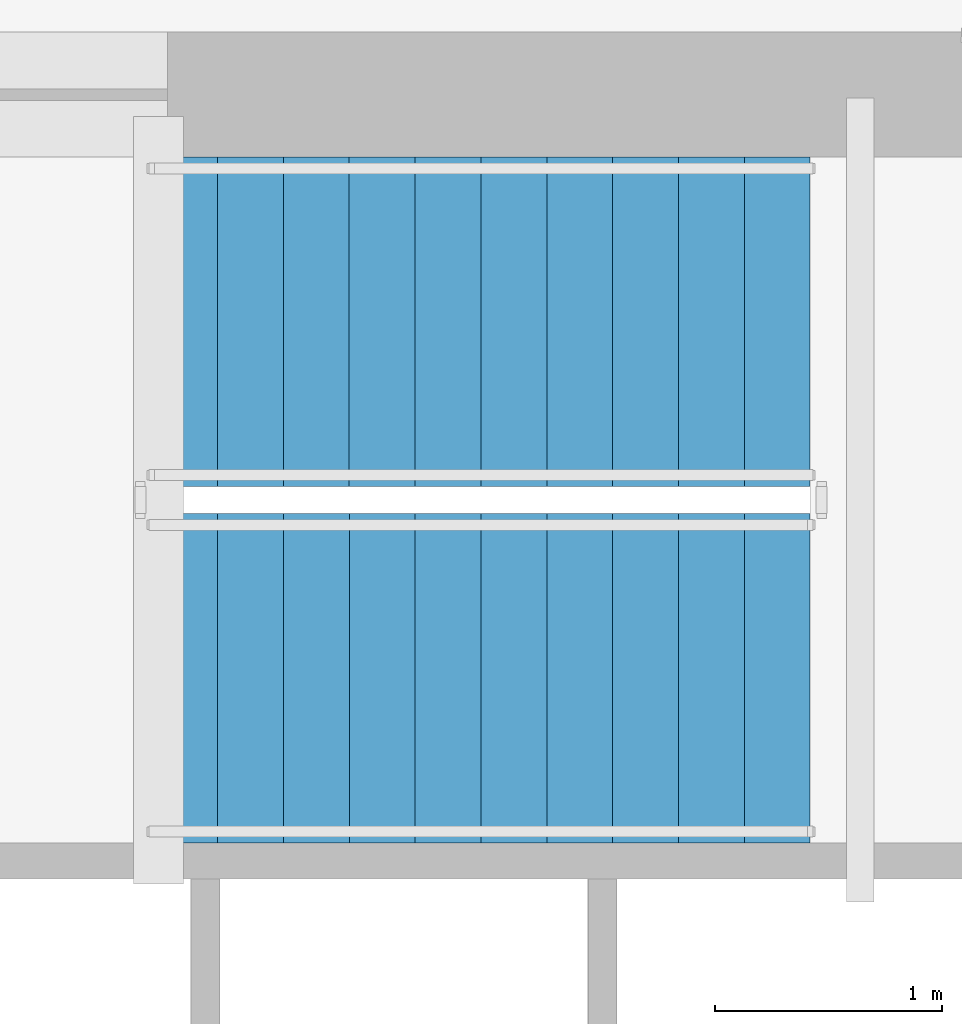
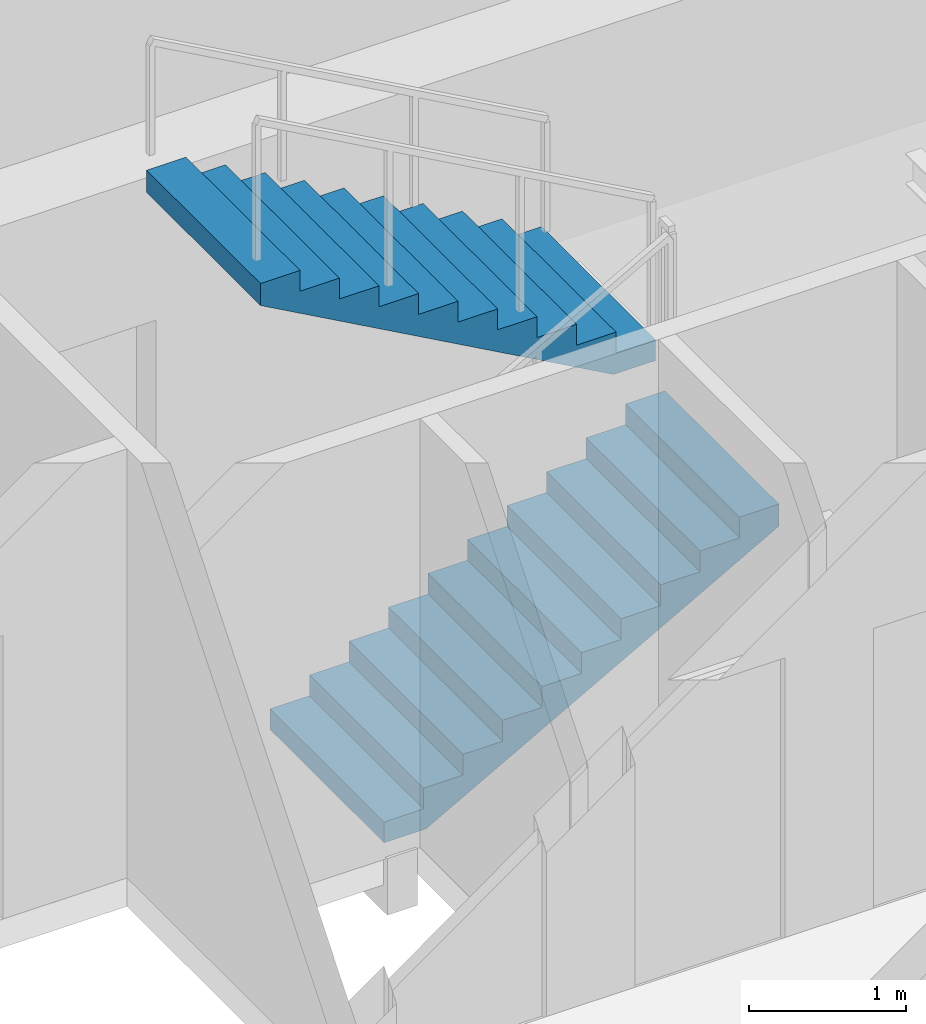
# One storey, part 12 of 15: 2 stair flights, 1 element without a shape of its own.
"""IFC4 building model written with IfcOpenShell, lengths in metres."""

import ifcopenshell
import ifcopenshell.guid

model = None  # the IFC model being written
_history = None  # IfcOwnerHistory: only IFC2X3 demands one
_inside = {}  # id of a spatial element -> (the spatial element, [elements in it])
_under = {}  # id of a project, library or spatial element -> (it, [spatial elements below it])
_declared = {}  # id of a project -> (the project, [libraries it declares])
_typed = {}  # id of a type object -> (the type object, [elements of that type])
_made_of = {}  # id of a material, layer set ... -> (it, [elements and type objects made of it])


def new_model(schema):
    """Start an empty IFC model of exactly this schema.

    Asked for "IFC4X3", IfcOpenShell would pick the latest addendum, in which some entities
    have other attributes; the version numbers below select the first issue.
    IFC2X3 requires an IfcOwnerHistory on every rooted entity: one is made here for all.
    """
    global model, _history
    if schema == "IFC4X3":
        model = ifcopenshell.file(schema_version=(4, 3, 0, 0))
    else:
        model = ifcopenshell.file(schema=schema)
    _inside.clear()
    _under.clear()
    _declared.clear()
    _typed.clear()
    _made_of.clear()
    _history = None
    if model.schema == "IFC2X3":
        org = make("IfcOrganization", Name="unknown")
        user = make(
            "IfcPersonAndOrganization",
            ThePerson=make("IfcPerson", FamilyName="unknown"),
            TheOrganization=org,
        )
        app = make(
            "IfcApplication",
            ApplicationDeveloper=org,
            Version="unknown",
            ApplicationFullName="unknown",
            ApplicationIdentifier="unknown",
        )
        _history = make(
            "IfcOwnerHistory",
            OwningUser=user,
            OwningApplication=app,
            ChangeAction="ADDED",
            CreationDate=0,
        )
    return model


def make(cls, **values):
    """One entity of the class cls with the attributes given. An attribute that is None is left unset."""
    return model.create_entity(
        cls, **{name: value for name, value in values.items() if value is not None}
    )


def rooted(cls, **values):
    """An entity with a GlobalId (a new one), such as an element, a storey or a relation."""
    return make(cls, GlobalId=ifcopenshell.guid.new(), OwnerHistory=_history, **values)


def si_unit(unit_type, name, prefix=None):
    """IfcSIUnit, for example si_unit("LENGTHUNIT", "METRE", prefix="MILLI")."""
    return make("IfcSIUnit", UnitType=unit_type, Prefix=prefix, Name=name)


def assignment(units):
    """IfcUnitAssignment: the units of a project."""
    return None if units is None else make("IfcUnitAssignment", Units=units)


def point(xyz):
    """IfcCartesianPoint."""
    return None if xyz is None else make("IfcCartesianPoint", Coordinates=xyz)


def direction(xyz):
    """IfcDirection."""
    return None if xyz is None else make("IfcDirection", DirectionRatios=xyz)


def frame(location, z_axis=None, x_axis=None):
    """IfcAxis2Placement3D, a coordinate frame: its origin and axes. An axis left out is left unset."""
    return make(
        "IfcAxis2Placement3D",
        Location=point(location),
        Axis=direction(z_axis),
        RefDirection=direction(x_axis),
    )


def origin():
    """The frame at (0, 0, 0) with its axes left unset."""
    return frame((0.0, 0.0, 0.0))


def place(relative_to, where):
    """IfcLocalPlacement: puts the frame where relative to a parent placement (None: the world)."""
    return make(
        "IfcLocalPlacement", PlacementRelTo=relative_to, RelativePlacement=where
    )


def context(
    kind, dimensions, precision=None, world=None, true_north=None, identifier=None
):
    """IfcGeometricRepresentationContext, for example the 3D "Model" context."""
    return make(
        "IfcGeometricRepresentationContext",
        ContextIdentifier=identifier,
        ContextType=kind,
        CoordinateSpaceDimension=dimensions,
        Precision=precision,
        WorldCoordinateSystem=world,
        TrueNorth=true_north,
    )


def subcontext(parent, identifier, kind, view, scale=None):
    """IfcGeometricRepresentationSubContext, for example "Body" below "Model"."""
    return make(
        "IfcGeometricRepresentationSubContext",
        ContextIdentifier=identifier,
        ContextType=kind,
        ParentContext=parent,
        TargetScale=scale,
        TargetView=view,
    )


def project(units=None, contexts=None):
    """IfcProject with its units and contexts."""
    return rooted(
        "IfcProject",
        Name="project",
        RepresentationContexts=contexts,
        UnitsInContext=assignment(units),
    )


def spatial(cls, under=None, at=None, **own):
    """A site, building, storey or space (cls), placed at a placement, below another one or the project."""
    s = rooted(cls, ObjectPlacement=at, **own)
    if under is not None:
        _under.setdefault(under.id(), (under, []))[1].append(s)
    return s


def polyline(points):
    """IfcPolyline through the points."""
    return make("IfcPolyline", Points=[point(p) for p in points])


def outline(outer, holes=None, kind="AREA"):
    """IfcArbitraryClosedProfileDef: a profile drawn as a closed curve; with holes, ...WithVoids."""
    if holes is None:
        return make("IfcArbitraryClosedProfileDef", ProfileType=kind, OuterCurve=outer)
    return make(
        "IfcArbitraryProfileDefWithVoids",
        ProfileType=kind,
        OuterCurve=outer,
        InnerCurves=holes,
    )


def extrude(swept, where, along, depth):
    """IfcExtrudedAreaSolid: the profile swept, set in the frame where, extruded along a direction by depth."""
    return make(
        "IfcExtrudedAreaSolid",
        SweptArea=swept,
        Position=where,
        ExtrudedDirection=direction(along),
        Depth=depth,
    )


def shape(context_of_items, identifier, shape_type, items):
    """IfcShapeRepresentation: the items that make up one representation, for example the "Body"."""
    return make(
        "IfcShapeRepresentation",
        ContextOfItems=context_of_items,
        RepresentationIdentifier=identifier,
        RepresentationType=shape_type,
        Items=items,
    )


def material(Name=None, Category=None):
    """IfcMaterial."""
    return make("IfcMaterial", Name=Name, Category=Category)


def made_of(thing, what):
    """Note that an element or type object is made of a material, layer set ...; save() writes the relation."""
    if what is not None:
        _made_of.setdefault(what.id(), (what, []))[1].append(thing)
    return thing


def type_object(cls, material=None, **own):
    """A type object (cls), such as IfcWallType, which elements share."""
    return made_of(rooted(cls, **own), material)


def element(
    cls,
    number,
    at=None,
    inside=None,
    cuts=None,
    type_object=None,
    material=None,
    context=None,
    identifier="Body",
    shape_type=None,
    held_by="IfcProductDefinitionShape",
    body=None,
    shapes=None,
    **own,
):
    """One element of the class cls, such as IfcWall. Its Tag is "e" and its number.

    at: its placement. inside: the storey or other place that contains it. cuts: it is an
    opening in that element (IfcRelVoidsElement). A single representation is given by context,
    identifier, shape_type and body (its items); several are given by shapes. held_by: the class
    of the entity that holds the representations. save() writes the other relations.
    """
    e = rooted(cls, Tag="e%d" % number, ObjectPlacement=at, **own)
    if body is not None:
        shapes = [shape(context, identifier, shape_type, body)]
    if shapes is not None:
        e.Representation = make(held_by, Representations=shapes)
    if inside is not None:
        _inside.setdefault(inside.id(), (inside, []))[1].append(e)
    if cuts is not None:
        rooted(
            "IfcRelVoidsElement", RelatingBuildingElement=cuts, RelatedOpeningElement=e
        )
    if type_object is not None:
        _typed.setdefault(type_object.id(), (type_object, []))[1].append(e)
    return made_of(e, material)


def aggregate(whole, parts):
    """IfcRelAggregates: a whole, such as a stair, and the parts it consists of."""
    return rooted("IfcRelAggregates", RelatingObject=whole, RelatedObjects=parts)


def save(model, path):
    """Write the relations noted so far, then the file.

    IfcRelAggregates (storeys below a building ...), IfcRelContainedInSpatialStructure (elements
    in a storey), IfcRelDefinesByType, IfcRelAssociatesMaterial and IfcRelDeclares: one each for
    every whole, place, type object, material and project.
    """
    for whole, parts in _under.values():
        aggregate(whole, parts)
    for where, things in _inside.values():
        rooted(
            "IfcRelContainedInSpatialStructure",
            RelatedElements=things,
            RelatingStructure=where,
        )
    for kind, things in _typed.values():
        rooted("IfcRelDefinesByType", RelatedObjects=things, RelatingType=kind)
    for what, things in _made_of.values():
        rooted("IfcRelAssociatesMaterial", RelatedObjects=things, RelatingMaterial=what)
    for by, libraries in _declared.values():
        rooted("IfcRelDeclares", RelatingContext=by, RelatedDefinitions=libraries)
    model.write(path)


model = new_model("IFC4")

# Units and contexts
model_context = context("Model", 3, precision=1e-05, world=origin(), true_north=direction((0.0, 1.0)))
body_context = subcontext(model_context, "Body", "Model", "MODEL_VIEW")
ifc_project = project(units=[si_unit("LENGTHUNIT", "METRE"), si_unit("AREAUNIT", "SQUARE_METRE"), si_unit("VOLUMEUNIT", "CUBIC_METRE"), si_unit("PLANEANGLEUNIT", "RADIAN"), si_unit("MASSUNIT", "GRAM", prefix="KILO")], contexts=[model_context])

# Site, building, storey
site_placement = place(None, origin())
site = spatial("IfcSite", under=ifc_project, at=site_placement, CompositionType="ELEMENT")
building_placement = place(site_placement, origin())
building = spatial("IfcBuilding", under=site, at=building_placement, Name="Olszyna Solenne Hotel", CompositionType="ELEMENT")
storey_placement = place(building_placement, frame((0.0, 0.0, 164.35009765625)))
storey = spatial("IfcBuildingStorey", under=building, at=storey_placement, Name="L43", CompositionType="ELEMENT", Elevation=164.35009765625)

# Stair, stair flights
ifc_material = material(Name="Concrete C40/50", Category="concrete")
stair_type = type_object("IfcStairType", Name="STR-C1", PredefinedType="TWO_QUARTER_WINDING_STAIR", material=ifc_material)
stair_placement = place(storey_placement, origin())
stair = element("IfcStair", 1, at=stair_placement, inside=storey, type_object=stair_type, Name="L43 ST3", PredefinedType="TWO_QUARTER_WINDING_STAIR")
stair_flight_type = type_object("IfcStairFlightType", Name="FLT-C1", PredefinedType="STRAIGHT", material=ifc_material)
stair_flight_1_placement = place(storey_placement, frame((34.72998046875, 31.405029296875, 0.0), z_axis=(0.0, 0.0, 1.0), x_axis=(1.0, 0.0, 0.0)))
stair_flight_1 = element("IfcStairFlight", 2, at=stair_flight_1_placement, type_object=stair_flight_type, Name="ST3 flight 1", NumberOfRisers=11, NumberOfTreads=10, PredefinedType="STRAIGHT", RiserHeight=0.161363636, TreadLength=0.29, context=body_context, shape_type="SweptSolid", body=[
    extrude(outline(polyline([(0.0, 0.0), (0.0, 0.161376953125), (0.2900390625, 0.161376953125), (0.2900390625, 0.32275390625), (0.580078125, 0.32275390625), (0.580078125, 0.484130859375), (0.8701171875, 0.484130859375), (0.8701171875, 0.6455078125), (1.159912109375, 0.6455078125), (1.159912109375, 0.806884765625), (1.449951171875, 0.806884765625), (1.449951171875, 0.96826171875), (1.739990234375, 0.96826171875), (1.739990234375, 1.129638671875), (2.030029296875, 1.129638671875), (2.030029296875, 1.291015625), (2.320068359375, 1.291015625), (2.320068359375, 1.452392578125), (2.610107421875, 1.452392578125), (2.610107421875, 1.613525390625), (2.89990234375, 1.613525390625), (2.89990234375, 1.77490234375), (2.89990234375, 1.442138671875), (0.308349609375, 0.0), (0.0, 0.0)])), frame((0.0, 0.72509765625, 0.0), z_axis=(0.0, -1.0, 0.0), x_axis=(1.0, 0.0, 0.0)), (0.0, 0.0, 1.0), 1.449951171875),
])
stair_flight_2_placement = place(storey_placement, frame((37.6298828125, 32.97509765625, 1.77490234375), z_axis=(0.0, 0.0, 1.0), x_axis=(-1.0, 0.0, 0.0)))
stair_flight_2 = element("IfcStairFlight", 3, at=stair_flight_2_placement, type_object=stair_flight_type, Name="ST3 flight 2", NumberOfRisers=11, NumberOfTreads=10, PredefinedType="STRAIGHT", RiserHeight=0.161363636, TreadLength=0.29, context=body_context, shape_type="SweptSolid", body=[
    extrude(outline(polyline([(0.0, 0.0), (0.0, 0.161376953125), (0.2900390625, 0.161376953125), (0.2900390625, 0.32275390625), (0.580078125, 0.32275390625), (0.580078125, 0.484130859375), (0.8701171875, 0.484130859375), (0.8701171875, 0.6455078125), (1.159912109375, 0.6455078125), (1.159912109375, 0.806884765625), (1.449951171875, 0.806884765625), (1.449951171875, 0.96826171875), (1.739990234375, 0.96826171875), (1.739990234375, 1.129638671875), (2.030029296875, 1.129638671875), (2.030029296875, 1.291015625), (2.320068359375, 1.291015625), (2.320068359375, 1.452392578125), (2.610107421875, 1.452392578125), (2.610107421875, 1.613525390625), (2.89990234375, 1.613525390625), (2.89990234375, 1.77490234375), (2.89990234375, 1.442138671875), (0.308349609375, 0.0), (0.0, 0.0)])), frame((0.0, 0.72509765625, 0.0), z_axis=(0.0, -1.0, 0.0), x_axis=(1.0, 0.0, 0.0)), (0.0, 0.0, 1.0), 1.449951171875),
])
aggregate(stair, [stair_flight_1, stair_flight_2])

save(model, "model.ifc")
